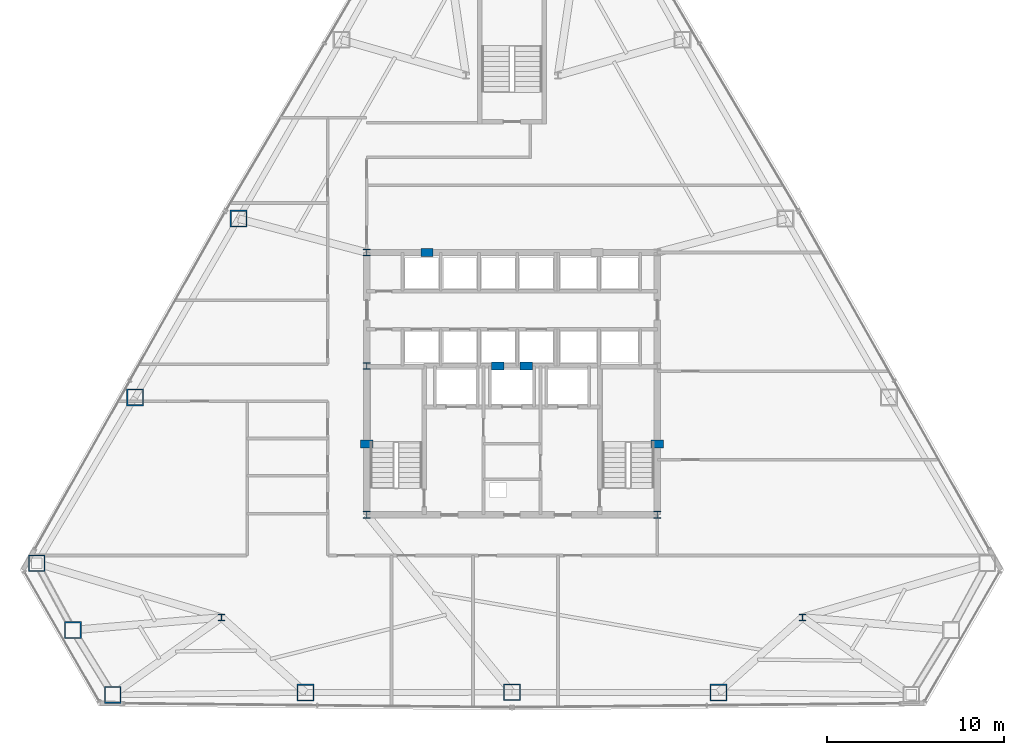
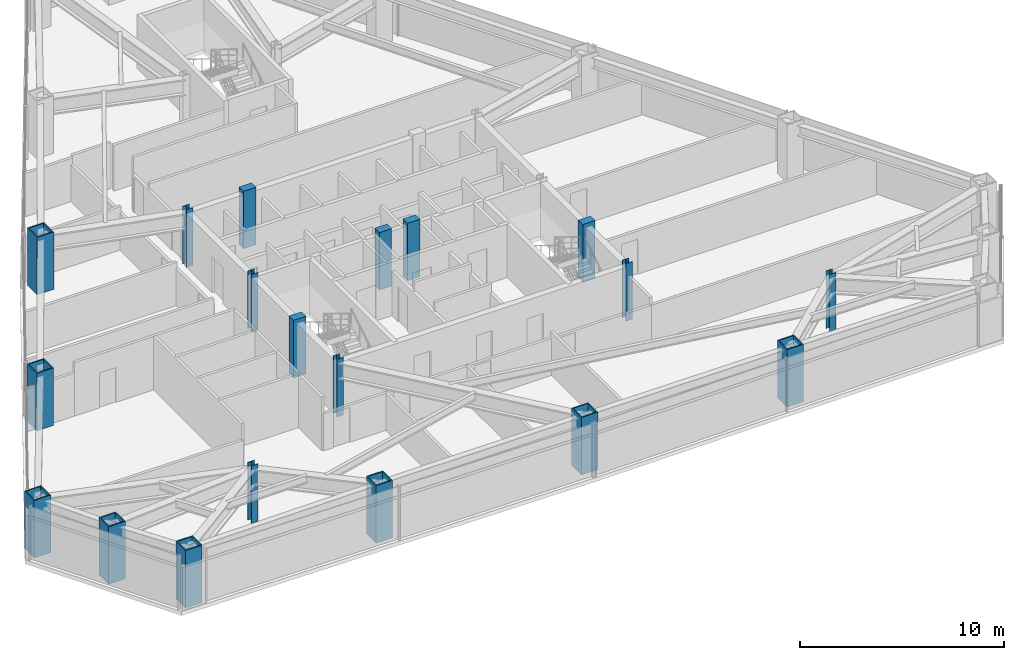
# One storey, part 1 of 13: 19 columns.
"""IFC4 building model written with IfcOpenShell, lengths in metres."""

from ifc_helpers import new_model, si_unit, direction, frame, origin, origin_2d, place, context, subcontext, project, spatial, rectangle, hollow_rectangle, i_section, extrude, material, material_profile, profile_set, type_object, element, save


model = new_model("IFC4")

# Units and contexts
model_context = context("Model", 3, precision=1e-05, world=origin(), true_north=direction((0.0, 1.0)))
body_context = subcontext(model_context, "Body", "Model", "MODEL_VIEW")
ifc_project = project(units=[si_unit("LENGTHUNIT", "METRE"), si_unit("AREAUNIT", "SQUARE_METRE"), si_unit("VOLUMEUNIT", "CUBIC_METRE"), si_unit("PLANEANGLEUNIT", "RADIAN"), si_unit("MASSUNIT", "GRAM", prefix="KILO")], contexts=[model_context])

# Site, building, storey
site_placement = place(None, origin())
site = spatial("IfcSite", under=ifc_project, at=site_placement, CompositionType="ELEMENT")
building_placement = place(site_placement, origin())
building = spatial("IfcBuilding", under=site, at=building_placement, Name="Varakhsha Concourse Tower", CompositionType="ELEMENT")
storey_placement = place(building_placement, frame((0.0, 0.0, 116.0)))
storey = spatial("IfcBuildingStorey", under=building, at=storey_placement, Name="L33", CompositionType="ELEMENT", Elevation=116.0)

# Columns
ifc_material_1 = material(Name="Structural Steel ASTM A992 Grade 50", Category="steel")
ifc_material_profile_1 = material_profile(ifc_material_1, i_section(OverallWidth=0.3740234375, OverallDepth=0.3720703125, WebThickness=0.01611328125, FlangeThickness=0.02587890625, at=origin_2d()), Name="W14X132")
ifc_profile_set_1 = profile_set([ifc_material_profile_1], Name="Structural Steel ASTM A992 Grade 50")
column_type_1 = type_object("IfcColumnType", Name="CL-CORE-W14X132", PredefinedType="COLUMN", material=ifc_profile_set_1)
for number, where, z_axis, x_axis, name in (
    (1, (31.800048828125, 16.39990234375, 0.0), (0.0, 0.0, 1.0), (1.0, 0.0, 0.0), "L33 Core Column CC-SW"),
    (2, (48.199951171875, 16.39990234375, 0.0), (0.0, 0.0, 1.0), (1.0, 0.0, 0.0), "L33 Core Column CC-SE"),
    (3, (31.800048828125, 24.800048828125, 0.0), (0.0, 0.0, 1.0), (1.0, 0.0, 0.0), "L33 Core Column CC-MW"),
    (4, (31.800048828125, 31.199951171875, 0.0), (0.0, 0.0, 1.0), (1.0, 0.0, 0.0), "L33 Core Column CC-NW"),
    (5, (23.60009765625, 10.60009765625, 0.0), (0.0, 0.0, 1.0), (1.0, 0.0, 0.0), "L33 Core Column SS-W"),
    (6, (56.39990234375, 10.60009765625, 0.0), (0.0, 0.0, 1.0), (1.0, 0.0, 0.0), "L33 Core Column SS-E"),
):
    element("IfcColumn", number, at=place(storey_placement, frame(where, z_axis=z_axis, x_axis=x_axis)), inside=storey, type_object=column_type_1, Name=name, PredefinedType="COLUMN", context=body_context, shape_type="SweptSolid", body=[
        extrude(i_section(OverallWidth=0.3740234375, OverallDepth=0.3720703125, WebThickness=0.01611328125, FlangeThickness=0.02587890625, at=origin_2d()), origin(), (0.0, 0.0, 1.0), 3.449951171875),
    ])
ifc_material_2 = material(Name="Concrete fc 65 MPa", Category="concrete")
ifc_material_profile_2 = material_profile(ifc_material_2, rectangle(XDim=0.699951171875, YDim=0.449951171875, at=origin_2d()), Name="RC 700x450")
ifc_profile_set_2 = profile_set([ifc_material_profile_2], Name="Concrete fc 65 MPa")
column_type_2 = type_object("IfcColumnType", Name="CL-PIL-700X450", PredefinedType="PILASTER", material=ifc_profile_set_2)
for number, where, z_axis, x_axis, name in (
    (7, (31.800048828125, 20.39990234375, 0.0), (0.0, 0.0, 1.0), (1.0, 0.0, 0.0), "L33 Core Boundary Pilaster PIL-W1"),
    (8, (48.199951171875, 20.39990234375, 0.0), (0.0, 0.0, 1.0), (1.0, 0.0, 0.0), "L33 Core Boundary Pilaster PIL-E1"),
    (9, (35.199951171875, 31.199951171875, 0.0), (0.0, 0.0, 1.0), (1.0, 0.0, 0.0), "L33 Core Boundary Pilaster PIL-N1"),
    (10, (39.199951171875, 24.800048828125, 0.0), (0.0, 0.0, 1.0), (1.0, 0.0, 0.0), "L33 Core Boundary Pilaster PIL-M1"),
    (11, (40.800048828125, 24.800048828125, 0.0), (0.0, 0.0, 1.0), (1.0, 0.0, 0.0), "L33 Core Boundary Pilaster PIL-M2"),
):
    element("IfcColumn", number, at=place(storey_placement, frame(where, z_axis=z_axis, x_axis=x_axis)), inside=storey, type_object=column_type_2, Name=name, PredefinedType="PILASTER", context=body_context, shape_type="SweptSolid", body=[
        extrude(rectangle(XDim=0.699951171875, YDim=0.449951171875, at=origin_2d()), origin(), (0.0, 0.0, 1.0), 3.449951171875),
    ])
ifc_material_3 = material(Name="Structural Steel ASTM A572 Grade 50", Category="steel")
ifc_material_profile_3 = material_profile(ifc_material_3, hollow_rectangle(XDim=0.949951171875, YDim=0.949951171875, WallThickness=0.06494140625, at=origin_2d()), Name="BOX 950x950x65")
ifc_profile_set_3 = profile_set([ifc_material_profile_3], Name="Structural Steel ASTM A572 Grade 50")
column_type_3 = type_object("IfcColumnType", Name="CL-TUBE-950", PredefinedType="COLUMN", material=ifc_profile_set_3)
for number, where, z_axis, x_axis, name in (
    (12, (24.56201171875, 33.113037109375, 0.0), (0.0, 0.0, 1.0), (1.0, 0.0, 0.0), "L33 Framed-Tube Column TC05"),
    (13, (18.722900390625, 23.02490234375, 0.0), (0.0, 0.0, 1.0), (1.0, 0.0, 0.0), "L33 Framed-Tube Column TC06"),
    (14, (13.168701171875, 13.6650390625, 0.0), (0.0, 0.0, 1.0), (1.0, 0.0, 0.0), "L33 Framed-Tube Column TC07"),
    (15, (15.210205078125, 9.8876953125, 0.0), (0.0, 0.0, 1.0), (1.0, 0.0, 0.0), "L33 Framed-Tube Column TC08"),
    (16, (17.4609375, 6.23095703125, 0.0), (0.0, 0.0, 1.0), (1.0, 0.0, 0.0), "L33 Framed-Tube Column TC09"),
    (17, (28.34375, 6.36083984375, 0.0), (0.0, 0.0, 1.0), (1.0, 0.0, 0.0), "L33 Framed-Tube Column TC10"),
    (18, (40.0, 6.373779296875, 0.0), (0.0, 0.0, 1.0), (1.0, 0.0, 0.0), "L33 Framed-Tube Column TC11"),
    (19, (51.65625, 6.36083984375, 0.0), (0.0, 0.0, 1.0), (1.0, 0.0, 0.0), "L33 Framed-Tube Column TC12"),
):
    element("IfcColumn", number, at=place(storey_placement, frame(where, z_axis=z_axis, x_axis=x_axis)), inside=storey, type_object=column_type_3, Name=name, PredefinedType="COLUMN", context=body_context, shape_type="SweptSolid", body=[
        extrude(hollow_rectangle(XDim=0.949951171875, YDim=0.949951171875, WallThickness=0.06494140625, at=origin_2d()), origin(), (0.0, 0.0, 1.0), 3.449951171875),
    ])

save(model, "model.ifc")
